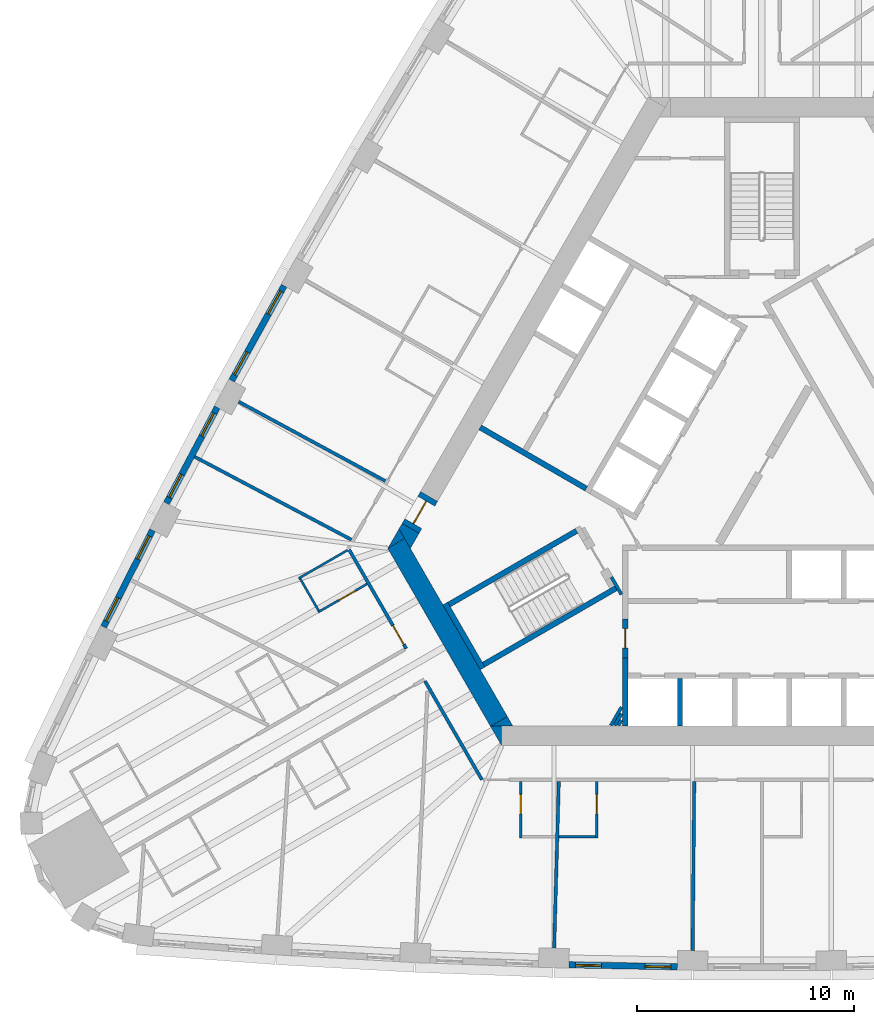
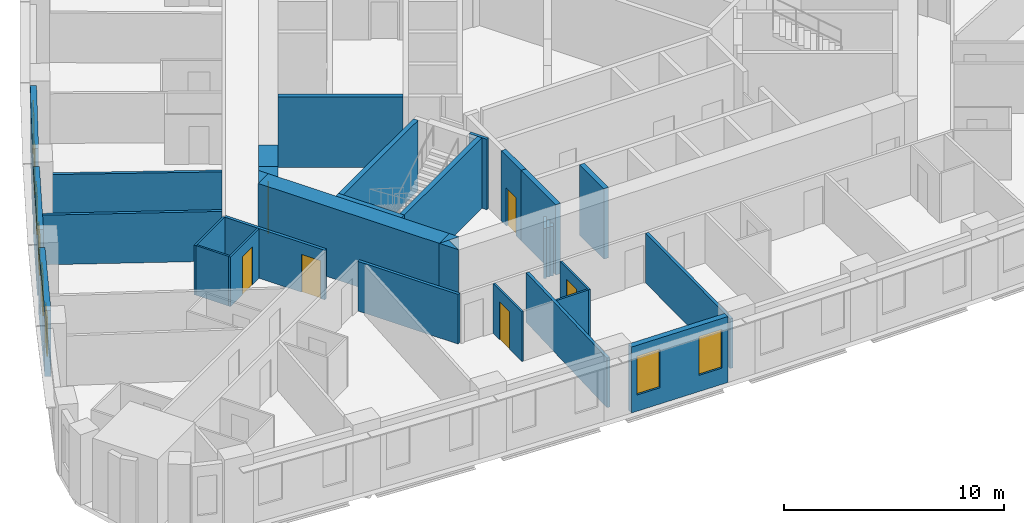
# One storey, part 4 of 13: 33 walls, 8 windows, 6 doors, 14 openings.
"""IFC4 building model written with IfcOpenShell, lengths in metres."""

from ifc_helpers import new_model, si_unit, direction, frame, frame_2d, origin, place, context, subcontext, project, spatial, polyline, rectangle, outline, extrude, material, layer, layer_set, type_object, element, fill, save


model = new_model("IFC4")

# Units and contexts
model_context = context("Model", 3, precision=1e-05, world=origin(), true_north=direction((0.0, 1.0)))
body_context = subcontext(model_context, "Body", "Model", "MODEL_VIEW")
ifc_project = project(units=[si_unit("LENGTHUNIT", "METRE"), si_unit("AREAUNIT", "SQUARE_METRE"), si_unit("VOLUMEUNIT", "CUBIC_METRE"), si_unit("PLANEANGLEUNIT", "RADIAN"), si_unit("MASSUNIT", "GRAM", prefix="KILO")], contexts=[model_context])

# Site, building, storey
site_placement = place(None, origin())
site = spatial("IfcSite", under=ifc_project, at=site_placement, CompositionType="ELEMENT")
building_placement = place(site_placement, origin())
building = spatial("IfcBuilding", under=site, at=building_placement, Name="Mestral Congress Tower", CompositionType="ELEMENT")
storey_placement = place(building_placement, frame((0.0, 0.0, 35.39990234375)))
storey = spatial("IfcBuildingStorey", under=building, at=storey_placement, Name="L07", CompositionType="ELEMENT", Elevation=35.39990234375)

# Walls
ifc_material_1 = material(Name="Fire-rated board partition")
ifc_layer_1 = layer(ifc_material_1, 0.14990234375)
ifc_layer_set_1 = layer_set([ifc_layer_1], Name="Fire-rated board partition")
wall_type_1 = type_object("IfcWallType", Name="Core partition 150", PredefinedType="PARTITIONING", material=ifc_layer_set_1)
wall_1_placement = place(storey_placement, frame((-6.967529296875, -12.068115234375, 0.0), z_axis=(0.0, 0.0, 1.0), x_axis=(0.49998975084, 0.866031321059, 0.0)))
element("IfcWall", 1, at=wall_1_placement, inside=storey, type_object=wall_type_1, Name="L07 core wall", PredefinedType="PARTITIONING", context=body_context, shape_type="SweptSolid", body=[
    extrude(rectangle(XDim=0.97509765625, YDim=0.14990234375, at=frame_2d((0.487548828125, 0.0))), origin(), (0.0, 0.0, 1.0), 2.75),
])
wall_2_placement = place(storey_placement, frame((-6.794189453125, -12.068115234375, 0.0), z_axis=(0.0, 0.0, 1.0), x_axis=(0.49985693963, 0.866107983974, 0.0)))
element("IfcWall", 2, at=wall_2_placement, inside=storey, type_object=wall_type_1, Name="L07 core wall", PredefinedType="PARTITIONING", context=body_context, shape_type="SweptSolid", body=[
    extrude(rectangle(XDim=0.628662109375, YDim=0.14990234375, at=frame_2d((0.314453125, 0.0))), origin(), (0.0, 0.0, 1.0), 2.75),
])
wall_3_placement = place(storey_placement, frame((-6.62109375, -12.068115234375, 0.0), z_axis=(0.0, 0.0, 1.0), x_axis=(0.500046963369, 0.865998287773, 0.0)))
element("IfcWall", 3, at=wall_3_placement, inside=storey, type_object=wall_type_1, Name="L07 core wall", PredefinedType="PARTITIONING", context=body_context, shape_type="SweptSolid", body=[
    extrude(rectangle(XDim=0.2822265625, YDim=0.14990234375, at=frame_2d((0.14111328125, 0.0))), origin(), (0.0, 0.0, 1.0), 2.75),
])
ifc_material_2 = material(Name="Concrete C60/75", Category="concrete")
ifc_layer_2 = layer(ifc_material_2, 0.89990234375)
ifc_layer_set_2 = layer_set([ifc_layer_2], Name="Concrete C60/75")
wall_type_2 = type_object("IfcWallType", Name="Core wall RC 900", PredefinedType="SOLIDWALL", material=ifc_layer_set_2)
placement = place(storey_placement, origin())
element("IfcWall", 4, at=placement, inside=storey, type_object=wall_type_2, Name="L07 core wall", PredefinedType="SOLIDWALL", context=body_context, shape_type="SweptSolid", body=[
    extrude(outline(polyline([(-12.528564453125, -12.10009765625), (-12.0205078125, -12.10009765625), (-12.0205078125, -12.97998046875), (-12.528564453125, -12.10009765625)])), origin(), (0.0, 0.0, 1.0), 3.900146484375),
])
wall_5_placement = place(storey_placement, frame((-12.134033203125, -11.88330078125, 0.0), z_axis=(0.0, 0.0, 1.0), x_axis=(-0.500005339912, 0.866022320763, 0.0)))
element("IfcWall", 5, at=wall_5_placement, inside=storey, type_object=wall_type_2, Name="L07 core wall", PredefinedType="SOLIDWALL", context=body_context, shape_type="SweptSolid", body=[
    extrude(rectangle(XDim=9.48779296875, YDim=0.89990234375, at=frame_2d((4.743896484375, 0.0))), origin(), (0.0, 0.0, 1.0), 3.900146484375),
])
element("IfcWall", 6, at=placement, inside=storey, type_object=wall_type_2, Name="L07 core wall", PredefinedType="SOLIDWALL", context=body_context, shape_type="SweptSolid", body=[
    extrude(outline(polyline([(-16.4892578125, -3.43994140625), (-17.251220703125, -3.8798828125), (-16.7431640625, -3.0), (-16.4892578125, -3.43994140625)])), origin(), (0.0, 0.0, 1.0), 3.900146484375),
])
element("IfcWall", 7, at=placement, inside=storey, type_object=wall_type_2, Name="L07 core wall", PredefinedType="SOLIDWALL", context=body_context, shape_type="SweptSolid", body=[
    extrude(outline(polyline([(-11.4892578125, -12.10009765625), (-12.50537109375, -12.10009765625), (-11.743408203125, -11.66015625), (-11.4892578125, -12.10009765625)])), origin(), (0.0, 0.0, 1.0), 3.900146484375),
])
element("IfcWall", 8, at=placement, inside=storey, type_object=wall_type_2, Name="L07 core wall", PredefinedType="SOLIDWALL", context=body_context, shape_type="SweptSolid", body=[
    extrude(outline(polyline([(-15.81982421875, -3.20068359375), (-16.223388671875, -3.89990234375), (-16.7431640625, -3.0), (-16.599365234375, -2.750732421875), (-15.81982421875, -3.20068359375)])), origin(), (0.0, 0.0, 1.0), 3.900146484375),
])

# Wall, opening, door
wall_9_placement = place(storey_placement, frame((-16.20947265625, -2.9755859375, 0.0), z_axis=(0.0, 0.0, 1.0), x_axis=(0.499954529098, 0.86605165483, 0.0)))
wall_9 = element("IfcWall", 9, at=wall_9_placement, inside=storey, type_object=wall_type_2, Name="L07 door wall", PredefinedType="SOLIDWALL", context=body_context, shape_type="SweptSolid", body=[
    extrude(rectangle(XDim=1.699951171875, YDim=0.89990234375, at=frame_2d((0.85009765625, 0.0))), origin(), (0.0, 0.0, 1.0), 3.900146484375),
])
opening_1_placement = place(wall_9_placement, frame((0.25, 0.0, 0.0)))
opening_1 = element("IfcOpeningElement", 10, at=opening_1_placement, cuts=wall_9, Name="Opening XD3", PredefinedType="OPENING", context=body_context, shape_type="SweptSolid", body=[
    extrude(rectangle(XDim=1.199951171875, YDim=2.10009765625, at=frame_2d((0.60009765625, 1.050048828125))), frame((0.0, 0.4599609375, 0.0), z_axis=(0.0, -1.0, 0.0), x_axis=(1.0, 0.0, 0.0)), (0.0, 0.0, 1.0), 0.919921875),
])
ifc_material_3 = material(Name="Fire-rated steel door set", Category="steel")
door_type_1 = type_object("IfcDoorType", Name="Core door XD 1200x2100", OperationType="SINGLE_SWING_LEFT", PredefinedType="DOOR", material=ifc_material_3)
door_1_placement = place(opening_1_placement, origin())
door_1 = element("IfcDoor", 11, at=door_1_placement, inside=storey, type_object=door_type_1, Name="Door XD3", OperationType="SINGLE_SWING_LEFT", OverallHeight=2.10009765625, OverallWidth=1.199951171875, PredefinedType="DOOR", context=body_context, shape_type="SweptSolid", body=[
    extrude(rectangle(XDim=1.199951171875, YDim=2.10009765625, at=frame_2d((0.60009765625, 1.050048828125))), frame((0.0, 0.02490234375, 0.0), z_axis=(0.0, -1.0, 0.0), x_axis=(1.0, 0.0, 0.0)), (0.0, 0.0, 1.0), 0.050048828125),
])
fill(opening_1, door_1)

# Wall, openings, windows
ifc_material_4 = material(Name="Precast concrete C40/50 with limestone facing", Category="masonry")
ifc_layer_3 = layer(ifc_material_4, 0.2900390625)
ifc_layer_set_3 = layer_set([ifc_layer_3], Name="Precast concrete C40/50 with limestone facing")
wall_type_3 = type_object("IfcWallType", Name="Facade stone wall 290", PredefinedType="SOLIDWALL", material=ifc_layer_set_3)
wall_10_placement = place(storey_placement, frame((-8.903564453125, -23.11279296875, 0.0), z_axis=(0.0, 0.0, 1.0), x_axis=(0.999829529479, -0.018463801951, 0.0)))
wall_10 = element("IfcWall", 12, at=wall_10_placement, inside=storey, type_object=wall_type_3, Name="Facade wall F0-03", PredefinedType="SOLIDWALL", context=body_context, shape_type="SweptSolid", body=[
    extrude(rectangle(XDim=4.998046875, YDim=0.2900390625, at=frame_2d((2.4990234375, 0.0))), origin(), (0.0, 0.0, 1.0), 3.650146484375),
])
opening_2_placement = place(wall_10_placement, frame((0.297119140625, 0.0, 0.89990234375)))
opening_2 = element("IfcOpeningElement", 13, at=opening_2_placement, cuts=wall_10, Name="Opening W1", PredefinedType="OPENING", context=body_context, shape_type="SweptSolid", body=[
    extrude(rectangle(XDim=1.199951171875, YDim=2.14990234375, at=frame_2d((0.60009765625, 1.074951171875))), frame((0.0, 0.155029296875, 0.0), z_axis=(0.0, -1.0, 0.0), x_axis=(1.0, 0.0, 0.0)), (0.0, 0.0, 1.0), 0.31005859375),
])
opening_3_placement = place(wall_10_placement, frame((3.501220703125, 0.0, 0.89990234375)))
opening_3 = element("IfcOpeningElement", 14, at=opening_3_placement, cuts=wall_10, Name="Opening W1", PredefinedType="OPENING", context=body_context, shape_type="SweptSolid", body=[
    extrude(rectangle(XDim=1.199951171875, YDim=2.14990234375, at=frame_2d((0.60009765625, 1.074951171875))), frame((0.0, 0.155029296875, 0.0), z_axis=(0.0, -1.0, 0.0), x_axis=(1.0, 0.0, 0.0)), (0.0, 0.0, 1.0), 0.31005859375),
])
ifc_material_5 = material(Name="Clear low-emissivity double glazing", Category="glass")
window_type = type_object("IfcWindowType", Name="Facade punched window 1200 x 2150 sill 900", PartitioningType="DOUBLE_PANEL_VERTICAL", PredefinedType="WINDOW", material=ifc_material_5)
window_1_placement = place(opening_2_placement, origin())
window_1 = element("IfcWindow", 15, at=window_1_placement, inside=storey, type_object=window_type, Name="Window F0-03a", OverallHeight=2.14990234375, OverallWidth=1.199951171875, PartitioningType="DOUBLE_PANEL_VERTICAL", PredefinedType="WINDOW", context=body_context, shape_type="SweptSolid", body=[
    extrude(rectangle(XDim=1.199951171875, YDim=2.14990234375, at=frame_2d((0.60009765625, 1.074951171875))), frame((0.0, 0.01513671875, 0.0), z_axis=(0.0, -1.0, 0.0), x_axis=(1.0, 0.0, 0.0)), (0.0, 0.0, 1.0), 0.06005859375),
])
fill(opening_2, window_1)
window_2_placement = place(opening_3_placement, origin())
window_2 = element("IfcWindow", 16, at=window_2_placement, inside=storey, type_object=window_type, Name="Window F0-03b", OverallHeight=2.14990234375, OverallWidth=1.199951171875, PartitioningType="DOUBLE_PANEL_VERTICAL", PredefinedType="WINDOW", context=body_context, shape_type="SweptSolid", body=[
    extrude(rectangle(XDim=1.199951171875, YDim=2.14990234375, at=frame_2d((0.60009765625, 1.074951171875))), frame((0.0, 0.01513671875, 0.0), z_axis=(0.0, -1.0, 0.0), x_axis=(1.0, 0.0, 0.0)), (0.0, 0.0, 1.0), 0.06005859375),
])
fill(opening_3, window_2)

wall_11_placement = place(storey_placement, frame((-22.049560546875, 8.2197265625, 0.0), z_axis=(0.0, 0.0, 1.0), x_axis=(-0.483912572871, -0.875116347589, 0.0)))
wall_11 = element("IfcWall", 17, at=wall_11_placement, inside=storey, type_object=wall_type_3, Name="Facade wall F2-05", PredefinedType="SOLIDWALL", context=body_context, shape_type="SweptSolid", body=[
    extrude(rectangle(XDim=4.998291015625, YDim=0.2900390625, at=frame_2d((2.4990234375, 0.0))), origin(), (0.0, 0.0, 1.0), 3.650146484375),
])
opening_4_placement = place(wall_11_placement, frame((0.297119140625, 0.0, 0.89990234375)))
opening_4 = element("IfcOpeningElement", 18, at=opening_4_placement, cuts=wall_11, Name="Opening W1", PredefinedType="OPENING", context=body_context, shape_type="SweptSolid", body=[
    extrude(rectangle(XDim=1.199951171875, YDim=2.14990234375, at=frame_2d((0.60009765625, 1.074951171875))), frame((0.0, 0.155029296875, 0.0), z_axis=(0.0, -1.0, 0.0), x_axis=(1.0, 0.0, 0.0)), (0.0, 0.0, 1.0), 0.31005859375),
])
opening_5_placement = place(wall_11_placement, frame((3.501220703125, 0.0, 0.89990234375)))
opening_5 = element("IfcOpeningElement", 19, at=opening_5_placement, cuts=wall_11, Name="Opening W1", PredefinedType="OPENING", context=body_context, shape_type="SweptSolid", body=[
    extrude(rectangle(XDim=1.199951171875, YDim=2.14990234375, at=frame_2d((0.60009765625, 1.074951171875))), frame((0.0, 0.155029296875, 0.0), z_axis=(0.0, -1.0, 0.0), x_axis=(1.0, 0.0, 0.0)), (0.0, 0.0, 1.0), 0.31005859375),
])
window_3_placement = place(opening_4_placement, origin())
window_3 = element("IfcWindow", 20, at=window_3_placement, inside=storey, type_object=window_type, Name="Window F2-05a", OverallHeight=2.14990234375, OverallWidth=1.199951171875, PartitioningType="DOUBLE_PANEL_VERTICAL", PredefinedType="WINDOW", context=body_context, shape_type="SweptSolid", body=[
    extrude(rectangle(XDim=1.199951171875, YDim=2.14990234375, at=frame_2d((0.60009765625, 1.074951171875))), frame((0.0, 0.01513671875, 0.0), z_axis=(0.0, -1.0, 0.0), x_axis=(1.0, 0.0, 0.0)), (0.0, 0.0, 1.0), 0.06005859375),
])
fill(opening_4, window_3)
window_4_placement = place(opening_5_placement, origin())
window_4 = element("IfcWindow", 21, at=window_4_placement, inside=storey, type_object=window_type, Name="Window F2-05b", OverallHeight=2.14990234375, OverallWidth=1.199951171875, PartitioningType="DOUBLE_PANEL_VERTICAL", PredefinedType="WINDOW", context=body_context, shape_type="SweptSolid", body=[
    extrude(rectangle(XDim=1.199951171875, YDim=2.14990234375, at=frame_2d((0.60009765625, 1.074951171875))), frame((0.0, 0.01513671875, 0.0), z_axis=(0.0, -1.0, 0.0), x_axis=(1.0, 0.0, 0.0)), (0.0, 0.0, 1.0), 0.06005859375),
])
fill(opening_5, window_4)

wall_12_placement = place(storey_placement, frame((-25.1376953125, 2.60791015625, 0.0), z_axis=(0.0, 0.0, 1.0), x_axis=(-0.467629620899, -0.883924509026, 0.0)))
wall_12 = element("IfcWall", 22, at=wall_12_placement, inside=storey, type_object=wall_type_3, Name="Facade wall F2-06", PredefinedType="SOLIDWALL", context=body_context, shape_type="SweptSolid", body=[
    extrude(rectangle(XDim=4.998291015625, YDim=0.2900390625, at=frame_2d((2.4990234375, 0.0))), origin(), (0.0, 0.0, 1.0), 3.650146484375),
])
opening_6_placement = place(wall_12_placement, frame((0.297119140625, 0.0, 0.89990234375)))
opening_6 = element("IfcOpeningElement", 23, at=opening_6_placement, cuts=wall_12, Name="Opening W1", PredefinedType="OPENING", context=body_context, shape_type="SweptSolid", body=[
    extrude(rectangle(XDim=1.199951171875, YDim=2.14990234375, at=frame_2d((0.60009765625, 1.074951171875))), frame((0.0, 0.155029296875, 0.0), z_axis=(0.0, -1.0, 0.0), x_axis=(1.0, 0.0, 0.0)), (0.0, 0.0, 1.0), 0.31005859375),
])
opening_7_placement = place(wall_12_placement, frame((3.501220703125, 0.0, 0.89990234375)))
opening_7 = element("IfcOpeningElement", 24, at=opening_7_placement, cuts=wall_12, Name="Opening W1", PredefinedType="OPENING", context=body_context, shape_type="SweptSolid", body=[
    extrude(rectangle(XDim=1.199951171875, YDim=2.14990234375, at=frame_2d((0.60009765625, 1.074951171875))), frame((0.0, 0.155029296875, 0.0), z_axis=(0.0, -1.0, 0.0), x_axis=(1.0, 0.0, 0.0)), (0.0, 0.0, 1.0), 0.31005859375),
])
window_5_placement = place(opening_6_placement, origin())
window_5 = element("IfcWindow", 25, at=window_5_placement, inside=storey, type_object=window_type, Name="Window F2-06a", OverallHeight=2.14990234375, OverallWidth=1.199951171875, PartitioningType="DOUBLE_PANEL_VERTICAL", PredefinedType="WINDOW", context=body_context, shape_type="SweptSolid", body=[
    extrude(rectangle(XDim=1.199951171875, YDim=2.14990234375, at=frame_2d((0.60009765625, 1.074951171875))), frame((0.0, 0.01513671875, 0.0), z_axis=(0.0, -1.0, 0.0), x_axis=(1.0, 0.0, 0.0)), (0.0, 0.0, 1.0), 0.06005859375),
])
fill(opening_6, window_5)
window_6_placement = place(opening_7_placement, origin())
window_6 = element("IfcWindow", 26, at=window_6_placement, inside=storey, type_object=window_type, Name="Window F2-06b", OverallHeight=2.14990234375, OverallWidth=1.199951171875, PartitioningType="DOUBLE_PANEL_VERTICAL", PredefinedType="WINDOW", context=body_context, shape_type="SweptSolid", body=[
    extrude(rectangle(XDim=1.199951171875, YDim=2.14990234375, at=frame_2d((0.60009765625, 1.074951171875))), frame((0.0, 0.01513671875, 0.0), z_axis=(0.0, -1.0, 0.0), x_axis=(1.0, 0.0, 0.0)), (0.0, 0.0, 1.0), 0.06005859375),
])
fill(opening_7, window_6)

wall_13_placement = place(storey_placement, frame((-28.12158203125, -3.06005859375, 0.0), z_axis=(0.0, 0.0, 1.0), x_axis=(-0.451233929645, -0.892405704115, 0.0)))
wall_13 = element("IfcWall", 27, at=wall_13_placement, inside=storey, type_object=wall_type_3, Name="Facade wall F2-07", PredefinedType="SOLIDWALL", context=body_context, shape_type="SweptSolid", body=[
    extrude(rectangle(XDim=4.998291015625, YDim=0.2900390625, at=frame_2d((2.4990234375, 0.0))), origin(), (0.0, 0.0, 1.0), 3.650146484375),
])
opening_8_placement = place(wall_13_placement, frame((0.297119140625, 0.0, 0.89990234375)))
opening_8 = element("IfcOpeningElement", 28, at=opening_8_placement, cuts=wall_13, Name="Opening W1", PredefinedType="OPENING", context=body_context, shape_type="SweptSolid", body=[
    extrude(rectangle(XDim=1.199951171875, YDim=2.14990234375, at=frame_2d((0.60009765625, 1.074951171875))), frame((0.0, 0.155029296875, 0.0), z_axis=(0.0, -1.0, 0.0), x_axis=(1.0, 0.0, 0.0)), (0.0, 0.0, 1.0), 0.31005859375),
])
opening_9_placement = place(wall_13_placement, frame((3.501220703125, 0.0, 0.89990234375)))
opening_9 = element("IfcOpeningElement", 29, at=opening_9_placement, cuts=wall_13, Name="Opening W1", PredefinedType="OPENING", context=body_context, shape_type="SweptSolid", body=[
    extrude(rectangle(XDim=1.199951171875, YDim=2.14990234375, at=frame_2d((0.60009765625, 1.074951171875))), frame((0.0, 0.155029296875, 0.0), z_axis=(0.0, -1.0, 0.0), x_axis=(1.0, 0.0, 0.0)), (0.0, 0.0, 1.0), 0.31005859375),
])
window_7_placement = place(opening_8_placement, origin())
window_7 = element("IfcWindow", 30, at=window_7_placement, inside=storey, type_object=window_type, Name="Window F2-07a", OverallHeight=2.14990234375, OverallWidth=1.199951171875, PartitioningType="DOUBLE_PANEL_VERTICAL", PredefinedType="WINDOW", context=body_context, shape_type="SweptSolid", body=[
    extrude(rectangle(XDim=1.199951171875, YDim=2.14990234375, at=frame_2d((0.60009765625, 1.074951171875))), frame((0.0, 0.01513671875, 0.0), z_axis=(0.0, -1.0, 0.0), x_axis=(1.0, 0.0, 0.0)), (0.0, 0.0, 1.0), 0.06005859375),
])
fill(opening_8, window_7)
window_8_placement = place(opening_9_placement, origin())
window_8 = element("IfcWindow", 31, at=window_8_placement, inside=storey, type_object=window_type, Name="Window F2-07b", OverallHeight=2.14990234375, OverallWidth=1.199951171875, PartitioningType="DOUBLE_PANEL_VERTICAL", PredefinedType="WINDOW", context=body_context, shape_type="SweptSolid", body=[
    extrude(rectangle(XDim=1.199951171875, YDim=2.14990234375, at=frame_2d((0.60009765625, 1.074951171875))), frame((0.0, 0.01513671875, 0.0), z_axis=(0.0, -1.0, 0.0), x_axis=(1.0, 0.0, 0.0)), (0.0, 0.0, 1.0), 0.06005859375),
])
fill(opening_9, window_8)

# Wall, opening, door
ifc_material_6 = material(Name="Gypsum board partition on metal studs with mineral wool", Category="composite")
ifc_layer_4 = layer(ifc_material_6, 0.10009765625)
ifc_layer_set_4 = layer_set([ifc_layer_4], Name="Gypsum board partition on metal studs with mineral wool")
wall_type_4 = type_object("IfcWallType", Name="Hotel partition wall 100", PredefinedType="PARTITIONING", material=ifc_layer_set_4)
wall_14_placement = place(storey_placement, frame((-11.126708984375, -14.64990234375, 0.0), z_axis=(0.0, 0.0, 1.0), x_axis=(0.0, -1.0, 0.0)))
wall_14 = element("IfcWall", 32, at=wall_14_placement, inside=storey, type_object=wall_type_4, Name="L07-h-pod03a", PredefinedType="PARTITIONING", context=body_context, shape_type="SweptSolid", body=[
    extrude(rectangle(XDim=2.60009765625, YDim=0.10009765625, at=frame_2d((1.300048828125, 0.0))), origin(), (0.0, 0.0, 1.0), 2.75),
])
opening_10_placement = place(wall_14_placement, frame((0.60009765625, 0.0, 0.0)))
opening_10 = element("IfcOpeningElement", 33, at=opening_10_placement, cuts=wall_14, Name="Opening H01-006", PredefinedType="OPENING", context=body_context, shape_type="SweptSolid", body=[
    extrude(rectangle(XDim=0.89990234375, YDim=2.10009765625, at=frame_2d((0.449951171875, 1.050048828125))), frame((0.0, 0.06005859375, 0.0), z_axis=(0.0, -1.0, 0.0), x_axis=(1.0, 0.0, 0.0)), (0.0, 0.0, 1.0), 0.1201171875),
])
ifc_material_7 = material(Name="Timber veneer door leaf in timber frame", Category="wood")
door_type_2 = type_object("IfcDoorType", Name="Bathroom door 900", OperationType="SINGLE_SWING_LEFT", PredefinedType="DOOR", material=ifc_material_7)
door_2_placement = place(opening_10_placement, origin())
door_2 = element("IfcDoor", 34, at=door_2_placement, inside=storey, type_object=door_type_2, Name="L07-h-d006", OperationType="SINGLE_SWING_RIGHT", OverallHeight=2.10009765625, OverallWidth=0.89990234375, PredefinedType="DOOR", context=body_context, shape_type="SweptSolid", body=[
    extrude(rectangle(XDim=0.89990234375, YDim=2.10009765625, at=frame_2d((0.449951171875, 1.050048828125))), frame((0.0, 0.02490234375, 0.0), z_axis=(0.0, -1.0, 0.0), x_axis=(1.0, 0.0, 0.0)), (0.0, 0.0, 1.0), 0.050048828125),
])
fill(opening_10, door_2)

wall_15_placement = place(storey_placement, frame((-7.619384765625, -17.25, 0.0), z_axis=(0.0, 0.0, 1.0), x_axis=(0.0, 1.0, 0.0)))
wall_15 = element("IfcWall", 35, at=wall_15_placement, inside=storey, type_object=wall_type_4, Name="L07-h-pod04a", PredefinedType="PARTITIONING", context=body_context, shape_type="SweptSolid", body=[
    extrude(rectangle(XDim=2.60009765625, YDim=0.10009765625, at=frame_2d((1.300048828125, 0.0))), origin(), (0.0, 0.0, 1.0), 2.75),
])
opening_11_placement = place(wall_15_placement, frame((1.10009765625, 0.0, 0.0)))
opening_11 = element("IfcOpeningElement", 36, at=opening_11_placement, cuts=wall_15, Name="Opening H01-008", PredefinedType="OPENING", context=body_context, shape_type="SweptSolid", body=[
    extrude(rectangle(XDim=0.89990234375, YDim=2.10009765625, at=frame_2d((0.449951171875, 1.050048828125))), frame((0.0, 0.06005859375, 0.0), z_axis=(0.0, -1.0, 0.0), x_axis=(1.0, 0.0, 0.0)), (0.0, 0.0, 1.0), 0.1201171875),
])
door_3_placement = place(opening_11_placement, origin())
door_3 = element("IfcDoor", 37, at=door_3_placement, inside=storey, type_object=door_type_2, Name="L07-h-d008", OperationType="SINGLE_SWING_LEFT", OverallHeight=2.10009765625, OverallWidth=0.89990234375, PredefinedType="DOOR", context=body_context, shape_type="SweptSolid", body=[
    extrude(rectangle(XDim=0.89990234375, YDim=2.10009765625, at=frame_2d((0.449951171875, 1.050048828125))), frame((0.0, 0.02490234375, 0.0), z_axis=(0.0, -1.0, 0.0), x_axis=(1.0, 0.0, 0.0)), (0.0, 0.0, 1.0), 0.050048828125),
])
fill(opening_11, door_3)

# Wall
wall_16_placement = place(storey_placement, frame((-7.669189453125, -17.199951171875, 0.0), z_axis=(0.0, 0.0, 1.0), x_axis=(-1.0, 0.0, 0.0)))
element("IfcWall", 38, at=wall_16_placement, inside=storey, type_object=wall_type_4, Name="L07-h-pod04b", PredefinedType="PARTITIONING", context=body_context, shape_type="SweptSolid", body=[
    extrude(rectangle(XDim=1.690185546875, YDim=0.10009765625, at=frame_2d((0.84521484375, 0.0))), origin(), (0.0, 0.0, 1.0), 2.75),
])

# Wall, opening, door
wall_17_placement = place(storey_placement, frame((-20.472900390625, -6.839599609375, 0.0), z_axis=(0.0, 0.0, 1.0), x_axis=(0.865997922154, 0.500047596559, 0.0)))
wall_17 = element("IfcWall", 39, at=wall_17_placement, inside=storey, type_object=wall_type_4, Name="L07-h-pod28a", PredefinedType="PARTITIONING", context=body_context, shape_type="SweptSolid", body=[
    extrude(rectangle(XDim=2.599853515625, YDim=0.10009765625, at=frame_2d((1.2998046875, 0.0))), origin(), (0.0, 0.0, 1.0), 2.75),
])
opening_12_placement = place(wall_17_placement, frame((1.10009765625, 0.0, 0.0)))
opening_12 = element("IfcOpeningElement", 40, at=opening_12_placement, cuts=wall_17, Name="Opening H01-053", PredefinedType="OPENING", context=body_context, shape_type="SweptSolid", body=[
    extrude(rectangle(XDim=0.89990234375, YDim=2.10009765625, at=frame_2d((0.449951171875, 1.050048828125))), frame((0.0, 0.06005859375, 0.0), z_axis=(0.0, -1.0, 0.0), x_axis=(1.0, 0.0, 0.0)), (0.0, 0.0, 1.0), 0.1201171875),
])
door_4_placement = place(opening_12_placement, origin())
door_4 = element("IfcDoor", 41, at=door_4_placement, inside=storey, type_object=door_type_2, Name="L07-h-d053", OperationType="SINGLE_SWING_LEFT", OverallHeight=2.10009765625, OverallWidth=0.89990234375, PredefinedType="DOOR", context=body_context, shape_type="SweptSolid", body=[
    extrude(rectangle(XDim=0.89990234375, YDim=2.10009765625, at=frame_2d((0.449951171875, 1.050048828125))), frame((0.0, 0.02490234375, 0.0), z_axis=(0.0, -1.0, 0.0), x_axis=(1.0, 0.0, 0.0)), (0.0, 0.0, 1.0), 0.050048828125),
])
fill(opening_12, door_4)

# Walls
wall_18_placement = place(storey_placement, frame((-20.45458984375, -6.771240234375, 0.0), z_axis=(0.0, 0.0, 1.0), x_axis=(-0.500062241894, 0.865989465428, 0.0)))
element("IfcWall", 42, at=wall_18_placement, inside=storey, type_object=wall_type_4, Name="L07-h-pod28b", PredefinedType="PARTITIONING", context=body_context, shape_type="SweptSolid", body=[
    extrude(rectangle(XDim=1.699951171875, YDim=0.10009765625, at=frame_2d((0.85009765625, 0.0))), origin(), (0.0, 0.0, 1.0), 2.75),
])
wall_19_placement = place(storey_placement, frame((-19.121337890625, -3.980712890625, 0.0), z_axis=(0.0, 0.0, 1.0), x_axis=(-0.866021400173, -0.500006934395, 0.0)))
element("IfcWall", 43, at=wall_19_placement, inside=storey, type_object=wall_type_4, Name="L07-h-pod28c", PredefinedType="PARTITIONING", context=body_context, shape_type="SweptSolid", body=[
    extrude(rectangle(XDim=2.60009765625, YDim=0.10009765625, at=frame_2d((1.300048828125, 0.0))), origin(), (0.0, 0.0, 1.0), 2.75),
])

# Wall, opening, door
ifc_layer_5 = layer(ifc_material_6, 0.14990234375)
ifc_layer_set_5 = layer_set([ifc_layer_5], Name="Gypsum board partition on metal studs with mineral wool")
wall_type_5 = type_object("IfcWallType", Name="Hotel partition wall 150", PredefinedType="PARTITIONING", material=ifc_layer_set_5)
wall_20_placement = place(storey_placement, frame((-16.412353515625, -8.52294921875, 0.0), z_axis=(0.0, 0.0, 1.0), x_axis=(-0.500001929737, 0.866024289647, 0.0)))
wall_20 = element("IfcWall", 44, at=wall_20_placement, inside=storey, type_object=wall_type_5, Name="L07-h-cw09", PredefinedType="PARTITIONING", context=body_context, shape_type="SweptSolid", body=[
    extrude(rectangle(XDim=5.26806640625, YDim=0.14990234375, at=frame_2d((2.634033203125, 0.0))), origin(), (0.0, 0.0, 1.0), 2.75),
])
opening_13_placement = place(wall_20_placement, frame((0.22607421875, 0.0, 0.0)))
opening_13 = element("IfcOpeningElement", 45, at=opening_13_placement, cuts=wall_20, Name="Opening H01-052", PredefinedType="OPENING", context=body_context, shape_type="SweptSolid", body=[
    extrude(rectangle(XDim=1.0, YDim=2.10009765625, at=frame_2d((0.5, 1.050048828125))), frame((0.0, 0.0849609375, 0.0), z_axis=(0.0, -1.0, 0.0), x_axis=(1.0, 0.0, 0.0)), (0.0, 0.0, 1.0), 0.169921875),
])
ifc_material_8 = material(Name="Timber veneer door leaf in metal frame", Category="wood")
door_type_3 = type_object("IfcDoorType", Name="Guest room entrance door 1000", OperationType="SINGLE_SWING_LEFT", PredefinedType="DOOR", material=ifc_material_8)
door_5_placement = place(opening_13_placement, origin())
door_5 = element("IfcDoor", 46, at=door_5_placement, inside=storey, type_object=door_type_3, Name="L07-h-d052", OperationType="SINGLE_SWING_LEFT", OverallHeight=2.10009765625, OverallWidth=1.0, PredefinedType="DOOR", context=body_context, shape_type="SweptSolid", body=[
    extrude(rectangle(XDim=1.0, YDim=2.10009765625, at=frame_2d((0.5, 1.050048828125))), frame((0.0, 0.02490234375, 0.0), z_axis=(0.0, -1.0, 0.0), x_axis=(1.0, 0.0, 0.0)), (0.0, 0.0, 1.0), 0.050048828125),
])
fill(opening_13, door_5)

# Walls
wall_21_placement = place(storey_placement, frame((-12.918212890625, -14.574951171875, 0.0), z_axis=(0.0, 0.0, 1.0), x_axis=(-0.500009150678, 0.866020120573, 0.0)))
element("IfcWall", 47, at=wall_21_placement, inside=storey, type_object=wall_type_5, Name="L07-h-cw12", PredefinedType="PARTITIONING", context=body_context, shape_type="SweptSolid", body=[
    extrude(rectangle(XDim=5.25830078125, YDim=0.14990234375, at=frame_2d((2.629150390625, 0.0))), origin(), (0.0, 0.0, 1.0), 2.75),
])
wall_22_placement = place(storey_placement, frame((-26.17822265625, 0.3310546875, 0.0), z_axis=(0.0, 0.0, 1.0), x_axis=(0.883908370409, -0.467660125221, 0.0)))
element("IfcWall", 48, at=wall_22_placement, inside=storey, type_object=wall_type_5, Name="L07-h-pw05", PredefinedType="PARTITIONING", context=body_context, shape_type="SweptSolid", body=[
    extrude(rectangle(XDim=8.18212890625, YDim=0.14990234375, at=frame_2d((4.091064453125, 0.0))), origin(), (0.0, 0.0, 1.0), 2.75),
])
wall_23_placement = place(storey_placement, frame((-24.14453125, 2.87060546875, 0.0), z_axis=(0.0, 0.0, 1.0), x_axis=(0.879551725039, -0.475803281809, 0.0)))
element("IfcWall", 49, at=wall_23_placement, inside=storey, type_object=wall_type_5, Name="L07-h-pw06", PredefinedType="PARTITIONING", context=body_context, shape_type="SweptSolid", body=[
    extrude(rectangle(XDim=7.68798828125, YDim=0.14990234375, at=frame_2d((3.843994140625, 0.0))), origin(), (0.0, 0.0, 1.0), 2.75),
])
wall_24_placement = place(storey_placement, frame((-9.586181640625, -22.34521484375, 0.0), z_axis=(0.0, 0.0, 1.0), x_axis=(0.027722115646, 0.999615668297, 0.0)))
element("IfcWall", 50, at=wall_24_placement, inside=storey, type_object=wall_type_5, Name="L07-h-pw10", PredefinedType="PARTITIONING", context=body_context, shape_type="SweptSolid", body=[
    extrude(rectangle(XDim=7.688232421875, YDim=0.14990234375, at=frame_2d((3.84423828125, 0.0))), origin(), (0.0, 0.0, 1.0), 2.75),
])
wall_25_placement = place(storey_placement, frame((-3.19580078125, -22.463134765625, 0.0), z_axis=(0.0, 0.0, 1.0), x_axis=(0.00926060032, 0.999957119721, 0.0)))
element("IfcWall", 51, at=wall_25_placement, inside=storey, type_object=wall_type_5, Name="L07-h-pw12", PredefinedType="PARTITIONING", context=body_context, shape_type="SweptSolid", body=[
    extrude(rectangle(XDim=7.803466796875, YDim=0.14990234375, at=frame_2d((3.90185546875, 0.0))), origin(), (0.0, 0.0, 1.0), 2.75),
])
ifc_layer_6 = layer(ifc_material_2, 0.25)
ifc_layer_set_6 = layer_set([ifc_layer_6], Name="Concrete C60/75")
wall_type_6 = type_object("IfcWallType", Name="Shaft wall RC 250", PredefinedType="SOLIDWALL", material=ifc_layer_set_6)
wall_26_placement = place(storey_placement, frame((-3.780029296875, -12.10009765625, 0.0), z_axis=(0.0, 0.0, 1.0), x_axis=(0.0, 1.0, 0.0)))
element("IfcWall", 52, at=wall_26_placement, inside=storey, type_object=wall_type_6, Name="L07 core wall", PredefinedType="SOLIDWALL", context=body_context, shape_type="SweptSolid", body=[
    extrude(rectangle(XDim=2.199951171875, YDim=0.25, at=frame_2d((1.10009765625, 0.0))), origin(), (0.0, 0.0, 1.0), 3.900146484375),
])
wall_27_placement = place(storey_placement, frame((-6.300048828125, -12.10009765625, 0.0), z_axis=(0.0, 0.0, 1.0), x_axis=(0.0, 1.0, 0.0)))
element("IfcWall", 53, at=wall_27_placement, inside=storey, type_object=wall_type_6, Name="L07 core wall", PredefinedType="SOLIDWALL", context=body_context, shape_type="SweptSolid", body=[
    extrude(rectangle(XDim=3.1455078125, YDim=0.25, at=frame_2d((1.57275390625, 0.0))), origin(), (0.0, 0.0, 1.0), 3.900146484375),
])
wall_28_placement = place(storey_placement, frame((-8.10595703125, -1.139892578125, 0.0), z_axis=(0.0, 0.0, 1.0), x_axis=(-0.866000643155, 0.500042884217, 0.0)))
element("IfcWall", 54, at=wall_28_placement, inside=storey, type_object=wall_type_6, Name="L07 core wall", PredefinedType="SOLIDWALL", context=body_context, shape_type="SweptSolid", body=[
    extrude(rectangle(XDim=5.64990234375, YDim=0.25, at=frame_2d((2.824951171875, 0.0))), origin(), (0.0, 0.0, 1.0), 3.900146484375),
])

# Wall, opening, door
wall_29_placement = place(storey_placement, frame((-6.300048828125, -7.154296875, 0.0), z_axis=(0.0, 0.0, 1.0), x_axis=(0.0, -1.0, 0.0)))
wall_29 = element("IfcWall", 55, at=wall_29_placement, inside=storey, type_object=wall_type_6, Name="L07 door wall", PredefinedType="SOLIDWALL", context=body_context, shape_type="SweptSolid", body=[
    extrude(rectangle(XDim=1.800048828125, YDim=0.25, at=frame_2d((0.89990234375, 0.0))), origin(), (0.0, 0.0, 1.0), 3.900146484375),
])
opening_14_placement = place(wall_29_placement, frame((0.449951171875, 0.0, 0.0)))
opening_14 = element("IfcOpeningElement", 56, at=opening_14_placement, cuts=wall_29, Name="Opening TD3", PredefinedType="OPENING", context=body_context, shape_type="SweptSolid", body=[
    extrude(rectangle(XDim=0.89990234375, YDim=2.10009765625, at=frame_2d((0.449951171875, 1.050048828125))), frame((0.0, 0.135009765625, 0.0), z_axis=(0.0, -1.0, 0.0), x_axis=(1.0, 0.0, 0.0)), (0.0, 0.0, 1.0), 0.27001953125),
])
door_type_4 = type_object("IfcDoorType", Name="Core door SR 900x2100", OperationType="SINGLE_SWING_LEFT", PredefinedType="DOOR", material=ifc_material_3)
door_6_placement = place(opening_14_placement, origin())
door_6 = element("IfcDoor", 57, at=door_6_placement, inside=storey, type_object=door_type_4, Name="Door TD3", OperationType="SINGLE_SWING_LEFT", OverallHeight=2.10009765625, OverallWidth=0.89990234375, PredefinedType="DOOR", context=body_context, shape_type="SweptSolid", body=[
    extrude(rectangle(XDim=0.89990234375, YDim=2.10009765625, at=frame_2d((0.449951171875, 1.050048828125))), frame((0.0, 0.02490234375, 0.0), z_axis=(0.0, -1.0, 0.0), x_axis=(1.0, 0.0, 0.0)), (0.0, 0.0, 1.0), 0.050048828125),
])
fill(opening_14, door_6)

# Walls
ifc_layer_7 = layer(ifc_material_2, 0.14990234375)
ifc_layer_set_7 = layer_set([ifc_layer_7], Name="Concrete C60/75")
wall_type_7 = type_object("IfcWallType", Name="Shaft wall RC 250 door-wall 150", PredefinedType="SOLIDWALL", material=ifc_layer_set_7)
wall_30_placement = place(storey_placement, frame((-6.48046875, -6.026611328125, 0.0), z_axis=(0.0, 0.0, 1.0), x_axis=(-0.499927229454, 0.866067413802, 0.0)))
element("IfcWall", 58, at=wall_30_placement, inside=storey, type_object=wall_type_7, Name="L07 core wall", PredefinedType="PARTITIONING", context=body_context, shape_type="SweptSolid", body=[
    extrude(rectangle(XDim=0.928955078125, YDim=0.14990234375, at=frame_2d((0.46435546875, 0.0))), origin(), (0.0, 0.0, 1.0), 3.900146484375),
])
ifc_layer_8 = layer(ifc_material_2, 0.25)
ifc_layer_set_8 = layer_set([ifc_layer_8], Name="Concrete C60/75")
wall_type_8 = type_object("IfcWallType", Name="Stair wall RC 250", PredefinedType="SOLIDWALL", material=ifc_layer_set_8)
wall_31_placement = place(storey_placement, frame((-12.885498046875, -9.431396484375, 0.0), z_axis=(0.0, 0.0, 1.0), x_axis=(-0.500020560727, 0.866013532718, 0.0)))
element("IfcWall", 59, at=wall_31_placement, inside=storey, type_object=wall_type_8, Name="L07 core wall", PredefinedType="SOLIDWALL", context=body_context, shape_type="SweptSolid", body=[
    extrude(rectangle(XDim=3.449951171875, YDim=0.25, at=frame_2d((1.72509765625, 0.0))), origin(), (0.0, 0.0, 1.0), 3.900146484375),
])
wall_32_placement = place(storey_placement, frame((-14.43994140625, -6.489501953125, 0.0), z_axis=(0.0, 0.0, 1.0), x_axis=(0.866022966069, 0.500004222222, 0.0)))
element("IfcWall", 60, at=wall_32_placement, inside=storey, type_object=wall_type_8, Name="L07 core wall", PredefinedType="SOLIDWALL", context=body_context, shape_type="SweptSolid", body=[
    extrude(rectangle(XDim=6.80029296875, YDim=0.25, at=frame_2d((3.400146484375, 0.0))), origin(), (0.0, 0.0, 1.0), 3.900146484375),
])
wall_33_placement = place(storey_placement, frame((-12.83984375, -9.2607421875, 0.0), z_axis=(0.0, 0.0, 1.0), x_axis=(0.866016039709, 0.500016218704, 0.0)))
element("IfcWall", 61, at=wall_33_placement, inside=storey, type_object=wall_type_8, Name="L07 core wall", PredefinedType="SOLIDWALL", context=body_context, shape_type="SweptSolid", body=[
    extrude(rectangle(XDim=7.050048828125, YDim=0.25, at=frame_2d((3.52490234375, 0.0))), origin(), (0.0, 0.0, 1.0), 3.900146484375),
])

save(model, "model.ifc")
